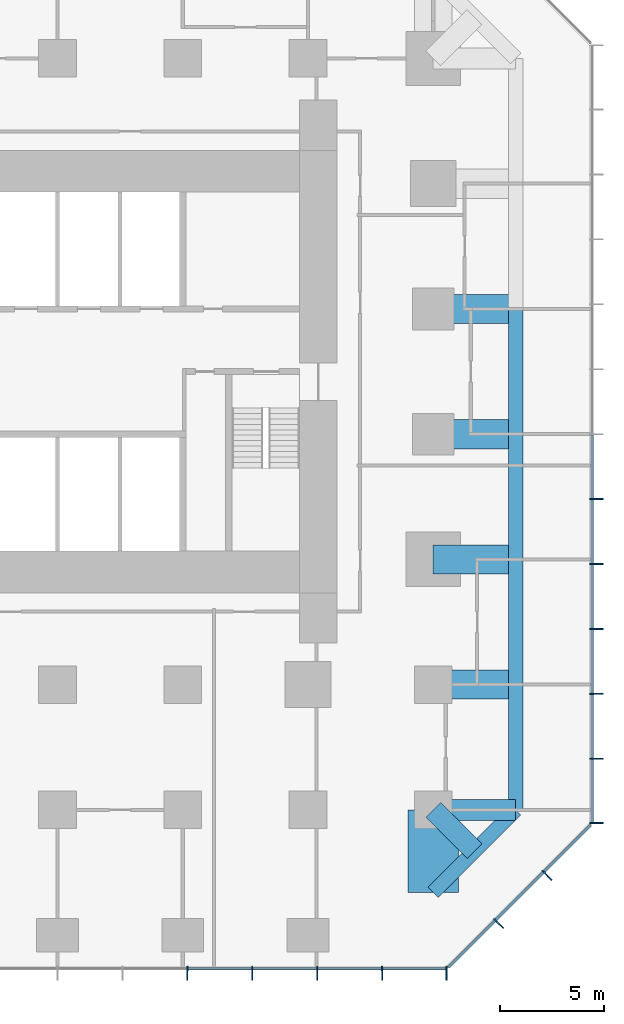
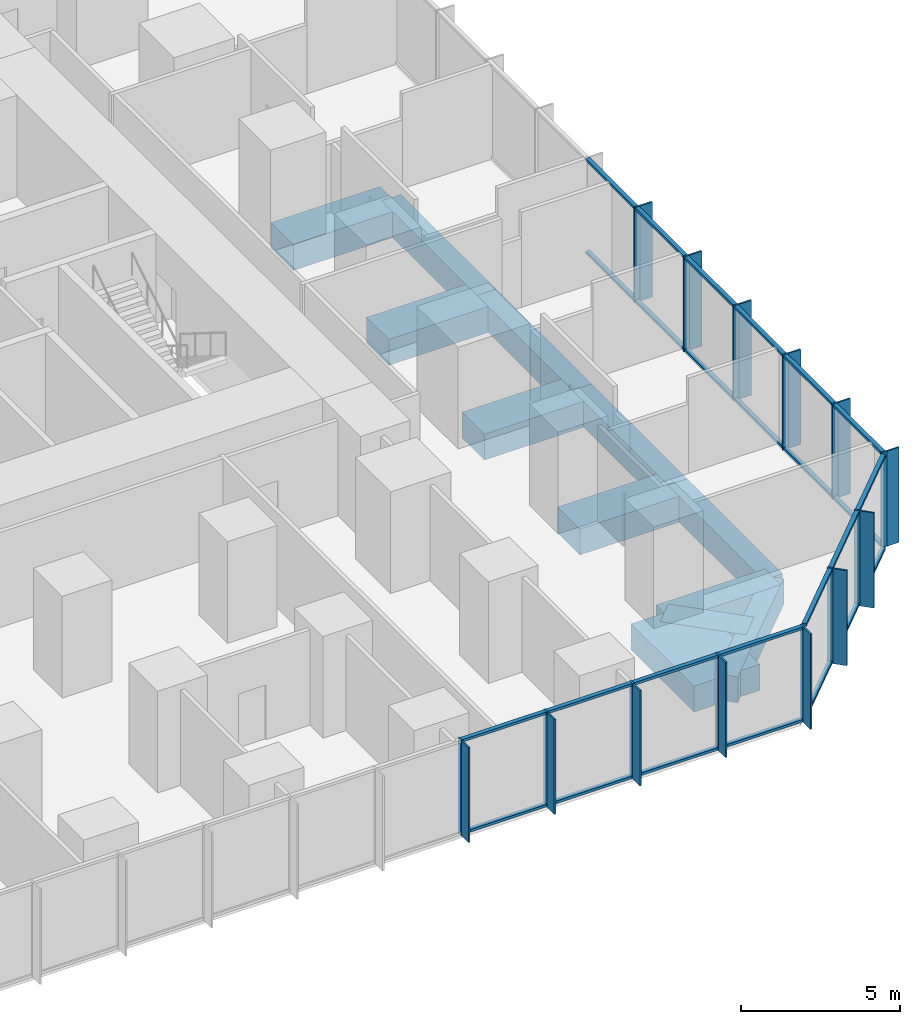
# One storey, part 4 of 13: 52 members, 12 beams, 3 elements without a shape of their own.
"""IFC4 building model written with IfcOpenShell, lengths in metres."""

import ifcopenshell
import ifcopenshell.guid

model = None  # the IFC model being written
_history = None  # IfcOwnerHistory: only IFC2X3 demands one
_inside = {}  # id of a spatial element -> (the spatial element, [elements in it])
_under = {}  # id of a project, library or spatial element -> (it, [spatial elements below it])
_declared = {}  # id of a project -> (the project, [libraries it declares])
_typed = {}  # id of a type object -> (the type object, [elements of that type])
_made_of = {}  # id of a material, layer set ... -> (it, [elements and type objects made of it])


def new_model(schema):
    """Start an empty IFC model of exactly this schema.

    Asked for "IFC4X3", IfcOpenShell would pick the latest addendum, in which some entities
    have other attributes; the version numbers below select the first issue.
    IFC2X3 requires an IfcOwnerHistory on every rooted entity: one is made here for all.
    """
    global model, _history
    if schema == "IFC4X3":
        model = ifcopenshell.file(schema_version=(4, 3, 0, 0))
    else:
        model = ifcopenshell.file(schema=schema)
    _inside.clear()
    _under.clear()
    _declared.clear()
    _typed.clear()
    _made_of.clear()
    _history = None
    if model.schema == "IFC2X3":
        org = make("IfcOrganization", Name="unknown")
        user = make(
            "IfcPersonAndOrganization",
            ThePerson=make("IfcPerson", FamilyName="unknown"),
            TheOrganization=org,
        )
        app = make(
            "IfcApplication",
            ApplicationDeveloper=org,
            Version="unknown",
            ApplicationFullName="unknown",
            ApplicationIdentifier="unknown",
        )
        _history = make(
            "IfcOwnerHistory",
            OwningUser=user,
            OwningApplication=app,
            ChangeAction="ADDED",
            CreationDate=0,
        )
    return model


def make(cls, **values):
    """One entity of the class cls with the attributes given. An attribute that is None is left unset."""
    return model.create_entity(
        cls, **{name: value for name, value in values.items() if value is not None}
    )


def rooted(cls, **values):
    """An entity with a GlobalId (a new one), such as an element, a storey or a relation."""
    return make(cls, GlobalId=ifcopenshell.guid.new(), OwnerHistory=_history, **values)


def si_unit(unit_type, name, prefix=None):
    """IfcSIUnit, for example si_unit("LENGTHUNIT", "METRE", prefix="MILLI")."""
    return make("IfcSIUnit", UnitType=unit_type, Prefix=prefix, Name=name)


def assignment(units):
    """IfcUnitAssignment: the units of a project."""
    return None if units is None else make("IfcUnitAssignment", Units=units)


def point(xyz):
    """IfcCartesianPoint."""
    return None if xyz is None else make("IfcCartesianPoint", Coordinates=xyz)


def direction(xyz):
    """IfcDirection."""
    return None if xyz is None else make("IfcDirection", DirectionRatios=xyz)


def frame(location, z_axis=None, x_axis=None):
    """IfcAxis2Placement3D, a coordinate frame: its origin and axes. An axis left out is left unset."""
    return make(
        "IfcAxis2Placement3D",
        Location=point(location),
        Axis=direction(z_axis),
        RefDirection=direction(x_axis),
    )


def frame_2d(location, x_axis=None):
    """IfcAxis2Placement2D, a coordinate frame in the plane: its origin and x axis."""
    return make(
        "IfcAxis2Placement2D", Location=point(location), RefDirection=direction(x_axis)
    )


def origin():
    """The frame at (0, 0, 0) with its axes left unset."""
    return frame((0.0, 0.0, 0.0))


def origin_2d():
    """The frame at (0, 0) in the plane with its x axis left unset."""
    return frame_2d((0.0, 0.0))


def place(relative_to, where):
    """IfcLocalPlacement: puts the frame where relative to a parent placement (None: the world)."""
    return make(
        "IfcLocalPlacement", PlacementRelTo=relative_to, RelativePlacement=where
    )


def context(
    kind, dimensions, precision=None, world=None, true_north=None, identifier=None
):
    """IfcGeometricRepresentationContext, for example the 3D "Model" context."""
    return make(
        "IfcGeometricRepresentationContext",
        ContextIdentifier=identifier,
        ContextType=kind,
        CoordinateSpaceDimension=dimensions,
        Precision=precision,
        WorldCoordinateSystem=world,
        TrueNorth=true_north,
    )


def subcontext(parent, identifier, kind, view, scale=None):
    """IfcGeometricRepresentationSubContext, for example "Body" below "Model"."""
    return make(
        "IfcGeometricRepresentationSubContext",
        ContextIdentifier=identifier,
        ContextType=kind,
        ParentContext=parent,
        TargetScale=scale,
        TargetView=view,
    )


def project(units=None, contexts=None):
    """IfcProject with its units and contexts."""
    return rooted(
        "IfcProject",
        Name="project",
        RepresentationContexts=contexts,
        UnitsInContext=assignment(units),
    )


def spatial(cls, under=None, at=None, **own):
    """A site, building, storey or space (cls), placed at a placement, below another one or the project."""
    s = rooted(cls, ObjectPlacement=at, **own)
    if under is not None:
        _under.setdefault(under.id(), (under, []))[1].append(s)
    return s


def profile(cls, at=None, kind="AREA", **sizes):
    """A parametric profile (cls). Its sizes go by their IFC names, for example OverallWidth=200.0."""
    return make(cls, ProfileType=kind, Position=at, **sizes)


def rectangle(**sizes):
    """IfcRectangleProfileDef."""
    return profile("IfcRectangleProfileDef", **sizes)


def extrude(swept, where, along, depth):
    """IfcExtrudedAreaSolid: the profile swept, set in the frame where, extruded along a direction by depth."""
    return make(
        "IfcExtrudedAreaSolid",
        SweptArea=swept,
        Position=where,
        ExtrudedDirection=direction(along),
        Depth=depth,
    )


def shape(context_of_items, identifier, shape_type, items):
    """IfcShapeRepresentation: the items that make up one representation, for example the "Body"."""
    return make(
        "IfcShapeRepresentation",
        ContextOfItems=context_of_items,
        RepresentationIdentifier=identifier,
        RepresentationType=shape_type,
        Items=items,
    )


def material(Name=None, Category=None):
    """IfcMaterial."""
    return make("IfcMaterial", Name=Name, Category=Category)


def layer(
    of_material, thickness, ventilated=None, Name=None, Category=None, Priority=None
):
    """IfcMaterialLayer: one layer of a wall or slab, of a material (None: an air gap)."""
    return make(
        "IfcMaterialLayer",
        Material=of_material,
        LayerThickness=thickness,
        IsVentilated=ventilated,
        Name=Name,
        Category=Category,
        Priority=Priority,
    )


def layer_set(layers, Name=None):
    """IfcMaterialLayerSet."""
    return make("IfcMaterialLayerSet", MaterialLayers=layers, LayerSetName=Name)


def material_profile(
    of_material, cross_section, Name=None, Category=None, Priority=None
):
    """IfcMaterialProfile: a cross section and its material."""
    return make(
        "IfcMaterialProfile",
        Name=Name,
        Material=of_material,
        Profile=cross_section,
        Priority=Priority,
        Category=Category,
    )


def profile_set(profiles, Name=None, composite=None):
    """IfcMaterialProfileSet."""
    return make(
        "IfcMaterialProfileSet",
        Name=Name,
        MaterialProfiles=profiles,
        CompositeProfile=composite,
    )


def made_of(thing, what):
    """Note that an element or type object is made of a material, layer set ...; save() writes the relation."""
    if what is not None:
        _made_of.setdefault(what.id(), (what, []))[1].append(thing)
    return thing


def type_object(cls, material=None, **own):
    """A type object (cls), such as IfcWallType, which elements share."""
    return made_of(rooted(cls, **own), material)


def element(
    cls,
    number,
    at=None,
    inside=None,
    cuts=None,
    type_object=None,
    material=None,
    context=None,
    identifier="Body",
    shape_type=None,
    held_by="IfcProductDefinitionShape",
    body=None,
    shapes=None,
    **own,
):
    """One element of the class cls, such as IfcWall. Its Tag is "e" and its number.

    at: its placement. inside: the storey or other place that contains it. cuts: it is an
    opening in that element (IfcRelVoidsElement). A single representation is given by context,
    identifier, shape_type and body (its items); several are given by shapes. held_by: the class
    of the entity that holds the representations. save() writes the other relations.
    """
    e = rooted(cls, Tag="e%d" % number, ObjectPlacement=at, **own)
    if body is not None:
        shapes = [shape(context, identifier, shape_type, body)]
    if shapes is not None:
        e.Representation = make(held_by, Representations=shapes)
    if inside is not None:
        _inside.setdefault(inside.id(), (inside, []))[1].append(e)
    if cuts is not None:
        rooted(
            "IfcRelVoidsElement", RelatingBuildingElement=cuts, RelatedOpeningElement=e
        )
    if type_object is not None:
        _typed.setdefault(type_object.id(), (type_object, []))[1].append(e)
    return made_of(e, material)


def aggregate(whole, parts):
    """IfcRelAggregates: a whole, such as a stair, and the parts it consists of."""
    return rooted("IfcRelAggregates", RelatingObject=whole, RelatedObjects=parts)


def save(model, path):
    """Write the relations noted so far, then the file.

    IfcRelAggregates (storeys below a building ...), IfcRelContainedInSpatialStructure (elements
    in a storey), IfcRelDefinesByType, IfcRelAssociatesMaterial and IfcRelDeclares: one each for
    every whole, place, type object, material and project.
    """
    for whole, parts in _under.values():
        aggregate(whole, parts)
    for where, things in _inside.values():
        rooted(
            "IfcRelContainedInSpatialStructure",
            RelatedElements=things,
            RelatingStructure=where,
        )
    for kind, things in _typed.values():
        rooted("IfcRelDefinesByType", RelatedObjects=things, RelatingType=kind)
    for what, things in _made_of.values():
        rooted("IfcRelAssociatesMaterial", RelatedObjects=things, RelatingMaterial=what)
    for by, libraries in _declared.values():
        rooted("IfcRelDeclares", RelatingContext=by, RelatedDefinitions=libraries)
    model.write(path)


model = new_model("IFC4")

# Units and contexts
model_context = context("Model", 3, precision=1e-05, world=origin(), true_north=direction((0.0, 1.0)))
body_context = subcontext(model_context, "Body", "Model", "MODEL_VIEW")
ifc_project = project(units=[si_unit("LENGTHUNIT", "METRE"), si_unit("AREAUNIT", "SQUARE_METRE"), si_unit("VOLUMEUNIT", "CUBIC_METRE"), si_unit("PLANEANGLEUNIT", "RADIAN"), si_unit("MASSUNIT", "GRAM", prefix="KILO")], contexts=[model_context])

# Site, building, storey
site_placement = place(None, origin())
site = spatial("IfcSite", under=ifc_project, at=site_placement, CompositionType="ELEMENT")
building_placement = place(site_placement, origin())
building = spatial("IfcBuilding", under=site, at=building_placement, Name="Highveld Stack Headquarters", CompositionType="ELEMENT")
storey_placement = place(building_placement, frame((0.0, 0.0, 61.10009765625)))
storey = spatial("IfcBuildingStorey", under=building, at=storey_placement, Name="L14", CompositionType="ELEMENT", Elevation=61.10009765625)

# Beams
ifc_material_1 = material(Name="Concrete C60/75", Category="concrete")
ifc_material_profile_1 = material_profile(ifc_material_1, rectangle(XDim=1.0, YDim=1.0, at=origin_2d()), Name="RC 1000x1000")
ifc_profile_set_1 = profile_set([ifc_material_profile_1], Name="Concrete C60/75")
beam_type_1 = type_object("IfcBeamType", Name="CANTILEVER RIB RC 1000x1000", PredefinedType="USERDEFINED", material=ifc_profile_set_1)
beam_1_placement = place(storey_placement, frame((24.0, -18.0, -0.75), z_axis=(1.0, 0.0, 0.0), x_axis=(0.0, 1.0, 0.0)))
element("IfcBeam", 1, at=beam_1_placement, inside=storey, type_object=beam_type_1, Name="Cantilever rib 10/B L14", ObjectType="CANTILEVER RIB", PredefinedType="USERDEFINED", context=body_context, shape_type="SweptSolid", body=[
    extrude(rectangle(XDim=1.0, YDim=1.0, at=origin_2d()), origin(), (0.0, 0.0, 1.0), 3.949951171875),
])
beam_2_placement = place(storey_placement, frame((24.0, -18.0, -0.75), z_axis=(0.707106781187, -0.707106781187, 0.0), x_axis=(0.707106781187, 0.707106781187, 0.0)))
element("IfcBeam", 2, at=beam_2_placement, inside=storey, type_object=beam_type_1, Name="Cantilever rib 10/B L14", ObjectType="CANTILEVER RIB", PredefinedType="USERDEFINED", context=body_context, shape_type="SweptSolid", body=[
    extrude(rectangle(XDim=1.0, YDim=1.0, at=origin_2d()), origin(), (0.0, 0.0, 1.0), 2.793212890625),
])
ifc_material_2 = material(Name="Concrete C60/75", Category="concrete")
ifc_material_profile_2 = material_profile(ifc_material_2, rectangle(XDim=1.39990234375, YDim=1.0, at=origin_2d()), Name="RC 1400x1000")
ifc_profile_set_2 = profile_set([ifc_material_profile_2], Name="Concrete C60/75")
beam_type_2 = type_object("IfcBeamType", Name="CANTILEVER RIB RC 1400x1000", PredefinedType="USERDEFINED", material=ifc_profile_set_2)
for number, where, z_axis, x_axis, name in (
    (3, (24.0, -12.0, -0.75), (1.0, 0.0, 0.0), (0.0, 1.0, 0.0), "Cantilever rib 10/C L14"),
    (4, (24.0, -6.0, -0.75), (1.0, 0.0, 0.0), (0.0, 1.0, 0.0), "Cantilever rib 10/D L14"),
    (5, (24.0, 0.0, -0.75), (1.0, 0.0, 0.0), (0.0, 1.0, 0.0), "Cantilever rib 10/E L14"),
    (6, (24.0, 6.0, -0.75), (1.0, 0.0, 0.0), (0.0, 1.0, 0.0), "Cantilever rib 10/F L14"),
):
    element("IfcBeam", number, at=place(storey_placement, frame(where, z_axis=z_axis, x_axis=x_axis)), inside=storey, type_object=beam_type_2, Name=name, ObjectType="CANTILEVER RIB", PredefinedType="USERDEFINED", context=body_context, shape_type="SweptSolid", body=[
        extrude(rectangle(XDim=1.39990234375, YDim=1.0, at=origin_2d()), origin(), (0.0, 0.0, 1.0), 3.949951171875),
    ])
ifc_material_3 = material(Name="Concrete C60/75", Category="concrete")
ifc_material_profile_3 = material_profile(ifc_material_3, rectangle(XDim=2.39990234375, YDim=1.0, at=origin_2d()), Name="RC 2400x1000")
ifc_profile_set_3 = profile_set([ifc_material_profile_3], Name="Concrete C60/75")
beam_type_3 = type_object("IfcBeamType", Name="CANTILEVER RIB RC 2400x1000", PredefinedType="USERDEFINED", material=ifc_profile_set_3)
beam_3_placement = place(storey_placement, frame((24.0, -18.0, -0.75), z_axis=(0.0, -1.0, 0.0), x_axis=(1.0, 0.0, 0.0)))
element("IfcBeam", 7, at=beam_3_placement, inside=storey, type_object=beam_type_3, Name="Cantilever rib 10/B L14", ObjectType="CANTILEVER RIB", PredefinedType="USERDEFINED", context=body_context, shape_type="SweptSolid", body=[
    extrude(rectangle(XDim=2.39990234375, YDim=1.0, at=origin_2d()), origin(), (0.0, 0.0, 1.0), 3.949951171875),
])

# Curtain wall, members
ifc_material_4 = material(Name="Aluminium bronze anodised", Category="aluminium")
ifc_layer_1 = layer(ifc_material_4, 0.199951171875)
ifc_layer_set_1 = layer_set([ifc_layer_1], Name="Aluminium bronze anodised")
curtain_wall_type_1 = type_object("IfcCurtainWallType", Name="CW1 TOWER UNITISED CURTAIN WALL", PredefinedType="NOTDEFINED", material=ifc_layer_set_1)
curtain_wall_1_placement = place(storey_placement, origin())
curtain_wall_1 = element("IfcCurtainWall", 8, at=curtain_wall_1_placement, inside=storey, type_object=curtain_wall_type_1, Name="Curtain wall CW1 L14 S", PredefinedType="NOTDEFINED")
ifc_material_5 = material(Name="Aluminium bronze anodised", Category="aluminium")
ifc_material_profile_4 = material_profile(ifc_material_5, rectangle(XDim=0.449951171875, YDim=0.06005859375, at=origin_2d()), Name="FIN 450x60")
ifc_profile_set_4 = profile_set([ifc_material_profile_4], Name="Aluminium bronze anodised")
member_type_1 = type_object("IfcMemberType", Name="CW1 BRONZE FIN 450x60", PredefinedType="USERDEFINED", material=ifc_profile_set_4)
member_1_placement = place(storey_placement, frame((12.220947265625, -25.925048828125, 0.0), z_axis=(0.0, 0.0, 1.0), x_axis=(0.0, 1.0, 0.0)))
member_1 = element("IfcMember", 9, at=member_1_placement, type_object=member_type_1, Name="CW1 fin L14 9", ObjectType="FIN", PredefinedType="USERDEFINED", context=body_context, shape_type="SweptSolid", body=[
    extrude(rectangle(XDim=0.449951171875, YDim=0.06005859375, at=origin_2d()), origin(), (0.0, 0.0, 1.0), 3.64990234375),
])
member_2_placement = place(storey_placement, frame((15.331298828125, -25.925048828125, 0.0), z_axis=(0.0, 0.0, 1.0), x_axis=(0.0, 1.0, 0.0)))
member_2 = element("IfcMember", 10, at=member_2_placement, type_object=member_type_1, Name="CW1 fin L14 10", ObjectType="FIN", PredefinedType="USERDEFINED", context=body_context, shape_type="SweptSolid", body=[
    extrude(rectangle(XDim=0.449951171875, YDim=0.06005859375, at=origin_2d()), origin(), (0.0, 0.0, 1.0), 3.64990234375),
])
member_3_placement = place(storey_placement, frame((18.44189453125, -25.925048828125, 0.0), z_axis=(0.0, 0.0, 1.0), x_axis=(0.0, 1.0, 0.0)))
member_3 = element("IfcMember", 11, at=member_3_placement, type_object=member_type_1, Name="CW1 fin L14 11", ObjectType="FIN", PredefinedType="USERDEFINED", context=body_context, shape_type="SweptSolid", body=[
    extrude(rectangle(XDim=0.449951171875, YDim=0.06005859375, at=origin_2d()), origin(), (0.0, 0.0, 1.0), 3.64990234375),
])
member_4_placement = place(storey_placement, frame((21.55224609375, -25.925048828125, 0.0), z_axis=(0.0, 0.0, 1.0), x_axis=(0.0, 1.0, 0.0)))
member_4 = element("IfcMember", 12, at=member_4_placement, type_object=member_type_1, Name="CW1 fin L14 12", ObjectType="FIN", PredefinedType="USERDEFINED", context=body_context, shape_type="SweptSolid", body=[
    extrude(rectangle(XDim=0.449951171875, YDim=0.06005859375, at=origin_2d()), origin(), (0.0, 0.0, 1.0), 3.64990234375),
])
member_5_placement = place(storey_placement, frame((24.630126953125, -25.925048828125, 0.0), z_axis=(0.0, 0.0, 1.0), x_axis=(0.0, 1.0, 0.0)))
member_5 = element("IfcMember", 13, at=member_5_placement, type_object=member_type_1, Name="CW1 fin L14 13", ObjectType="FIN", PredefinedType="USERDEFINED", context=body_context, shape_type="SweptSolid", body=[
    extrude(rectangle(XDim=0.449951171875, YDim=0.06005859375, at=origin_2d()), origin(), (0.0, 0.0, 1.0), 3.64990234375),
])

curtain_wall_2_placement = place(storey_placement, origin())
curtain_wall_2 = element("IfcCurtainWall", 14, at=curtain_wall_2_placement, inside=storey, type_object=curtain_wall_type_1, Name="Curtain wall CW1 L14 E", PredefinedType="NOTDEFINED")
member_6_placement = place(storey_placement, frame((31.925048828125, -18.630126953125, 0.0), z_axis=(0.0, 0.0, 1.0), x_axis=(-1.0, 0.0, 0.0)))
member_6 = element("IfcMember", 15, at=member_6_placement, type_object=member_type_1, Name="CW1 fin L14 1", ObjectType="FIN", PredefinedType="USERDEFINED", context=body_context, shape_type="SweptSolid", body=[
    extrude(rectangle(XDim=0.449951171875, YDim=0.06005859375, at=origin_2d()), origin(), (0.0, 0.0, 1.0), 3.64990234375),
])
member_7_placement = place(storey_placement, frame((31.925048828125, -15.55224609375, 0.0), z_axis=(0.0, 0.0, 1.0), x_axis=(-1.0, 0.0, 0.0)))
member_7 = element("IfcMember", 16, at=member_7_placement, type_object=member_type_1, Name="CW1 fin L14 2", ObjectType="FIN", PredefinedType="USERDEFINED", context=body_context, shape_type="SweptSolid", body=[
    extrude(rectangle(XDim=0.449951171875, YDim=0.06005859375, at=origin_2d()), origin(), (0.0, 0.0, 1.0), 3.64990234375),
])
member_8_placement = place(storey_placement, frame((31.925048828125, -12.44189453125, 0.0), z_axis=(0.0, 0.0, 1.0), x_axis=(-1.0, 0.0, 0.0)))
member_8 = element("IfcMember", 17, at=member_8_placement, type_object=member_type_1, Name="CW1 fin L14 3", ObjectType="FIN", PredefinedType="USERDEFINED", context=body_context, shape_type="SweptSolid", body=[
    extrude(rectangle(XDim=0.449951171875, YDim=0.06005859375, at=origin_2d()), origin(), (0.0, 0.0, 1.0), 3.64990234375),
])
member_9_placement = place(storey_placement, frame((31.925048828125, -9.331298828125, 0.0), z_axis=(0.0, 0.0, 1.0), x_axis=(-1.0, 0.0, 0.0)))
member_9 = element("IfcMember", 18, at=member_9_placement, type_object=member_type_1, Name="CW1 fin L14 4", ObjectType="FIN", PredefinedType="USERDEFINED", context=body_context, shape_type="SweptSolid", body=[
    extrude(rectangle(XDim=0.449951171875, YDim=0.06005859375, at=origin_2d()), origin(), (0.0, 0.0, 1.0), 3.64990234375),
])
member_10_placement = place(storey_placement, frame((31.925048828125, -6.220947265625, 0.0), z_axis=(0.0, 0.0, 1.0), x_axis=(-1.0, 0.0, 0.0)))
member_10 = element("IfcMember", 19, at=member_10_placement, type_object=member_type_1, Name="CW1 fin L14 5", ObjectType="FIN", PredefinedType="USERDEFINED", context=body_context, shape_type="SweptSolid", body=[
    extrude(rectangle(XDim=0.449951171875, YDim=0.06005859375, at=origin_2d()), origin(), (0.0, 0.0, 1.0), 3.64990234375),
])
member_11_placement = place(storey_placement, frame((31.925048828125, -3.110595703125, 0.0), z_axis=(0.0, 0.0, 1.0), x_axis=(-1.0, 0.0, 0.0)))
member_11 = element("IfcMember", 20, at=member_11_placement, type_object=member_type_1, Name="CW1 fin L14 6", ObjectType="FIN", PredefinedType="USERDEFINED", context=body_context, shape_type="SweptSolid", body=[
    extrude(rectangle(XDim=0.449951171875, YDim=0.06005859375, at=origin_2d()), origin(), (0.0, 0.0, 1.0), 3.64990234375),
])

# Member
ifc_material_6 = material(Name="Aluminium bronze anodised", Category="aluminium")
ifc_material_profile_5 = material_profile(ifc_material_6, rectangle(XDim=0.199951171875, YDim=0.06494140625, at=origin_2d()), Name="CW1 MULLION 65x200")
ifc_profile_set_5 = profile_set([ifc_material_profile_5], Name="Aluminium bronze anodised")
member_type_2 = type_object("IfcMemberType", Name="CW1 MULLION 65x200", PredefinedType="MULLION", material=ifc_profile_set_5)
member_12_placement = place(storey_placement, frame((12.220947265625, -25.60009765625, 0.0), z_axis=(0.0, 0.0, 1.0), x_axis=(0.0, 1.0, 0.0)))
member_12 = element("IfcMember", 21, at=member_12_placement, type_object=member_type_2, Name="CW1 mullion L14 9", PredefinedType="MULLION", context=body_context, shape_type="SweptSolid", body=[
    extrude(rectangle(XDim=0.199951171875, YDim=0.06494140625, at=origin_2d()), origin(), (0.0, 0.0, 1.0), 3.64990234375),
])

member_13_placement = place(storey_placement, frame((15.331298828125, -25.60009765625, 0.0), z_axis=(0.0, 0.0, 1.0), x_axis=(0.0, 1.0, 0.0)))
member_13 = element("IfcMember", 22, at=member_13_placement, type_object=member_type_2, Name="CW1 mullion L14 10", PredefinedType="MULLION", context=body_context, shape_type="SweptSolid", body=[
    extrude(rectangle(XDim=0.199951171875, YDim=0.06494140625, at=origin_2d()), origin(), (0.0, 0.0, 1.0), 3.64990234375),
])

member_14_placement = place(storey_placement, frame((18.44189453125, -25.60009765625, 0.0), z_axis=(0.0, 0.0, 1.0), x_axis=(0.0, 1.0, 0.0)))
member_14 = element("IfcMember", 23, at=member_14_placement, type_object=member_type_2, Name="CW1 mullion L14 11", PredefinedType="MULLION", context=body_context, shape_type="SweptSolid", body=[
    extrude(rectangle(XDim=0.199951171875, YDim=0.06494140625, at=origin_2d()), origin(), (0.0, 0.0, 1.0), 3.64990234375),
])

member_15_placement = place(storey_placement, frame((21.55224609375, -25.60009765625, 0.0), z_axis=(0.0, 0.0, 1.0), x_axis=(0.0, 1.0, 0.0)))
member_15 = element("IfcMember", 24, at=member_15_placement, type_object=member_type_2, Name="CW1 mullion L14 12", PredefinedType="MULLION", context=body_context, shape_type="SweptSolid", body=[
    extrude(rectangle(XDim=0.199951171875, YDim=0.06494140625, at=origin_2d()), origin(), (0.0, 0.0, 1.0), 3.64990234375),
])

member_16_placement = place(storey_placement, frame((24.630126953125, -25.60009765625, 0.0), z_axis=(0.0, 0.0, 1.0), x_axis=(0.0, 1.0, 0.0)))
member_16 = element("IfcMember", 25, at=member_16_placement, type_object=member_type_2, Name="CW1 mullion L14 13", PredefinedType="MULLION", context=body_context, shape_type="SweptSolid", body=[
    extrude(rectangle(XDim=0.199951171875, YDim=0.06494140625, at=origin_2d()), origin(), (0.0, 0.0, 1.0), 3.64990234375),
])

member_17_placement = place(storey_placement, frame((31.60009765625, -18.630126953125, 0.0), z_axis=(0.0, 0.0, 1.0), x_axis=(-1.0, 0.0, 0.0)))
member_17 = element("IfcMember", 26, at=member_17_placement, type_object=member_type_2, Name="CW1 mullion L14 1", PredefinedType="MULLION", context=body_context, shape_type="SweptSolid", body=[
    extrude(rectangle(XDim=0.199951171875, YDim=0.06494140625, at=origin_2d()), origin(), (0.0, 0.0, 1.0), 3.64990234375),
])

member_18_placement = place(storey_placement, frame((31.60009765625, -15.55224609375, 0.0), z_axis=(0.0, 0.0, 1.0), x_axis=(-1.0, 0.0, 0.0)))
member_18 = element("IfcMember", 27, at=member_18_placement, type_object=member_type_2, Name="CW1 mullion L14 2", PredefinedType="MULLION", context=body_context, shape_type="SweptSolid", body=[
    extrude(rectangle(XDim=0.199951171875, YDim=0.06494140625, at=origin_2d()), origin(), (0.0, 0.0, 1.0), 3.64990234375),
])

member_19_placement = place(storey_placement, frame((31.60009765625, -12.44189453125, 0.0), z_axis=(0.0, 0.0, 1.0), x_axis=(-1.0, 0.0, 0.0)))
member_19 = element("IfcMember", 28, at=member_19_placement, type_object=member_type_2, Name="CW1 mullion L14 3", PredefinedType="MULLION", context=body_context, shape_type="SweptSolid", body=[
    extrude(rectangle(XDim=0.199951171875, YDim=0.06494140625, at=origin_2d()), origin(), (0.0, 0.0, 1.0), 3.64990234375),
])

member_20_placement = place(storey_placement, frame((31.60009765625, -9.331298828125, 0.0), z_axis=(0.0, 0.0, 1.0), x_axis=(-1.0, 0.0, 0.0)))
member_20 = element("IfcMember", 29, at=member_20_placement, type_object=member_type_2, Name="CW1 mullion L14 4", PredefinedType="MULLION", context=body_context, shape_type="SweptSolid", body=[
    extrude(rectangle(XDim=0.199951171875, YDim=0.06494140625, at=origin_2d()), origin(), (0.0, 0.0, 1.0), 3.64990234375),
])

member_21_placement = place(storey_placement, frame((31.60009765625, -6.220947265625, 0.0), z_axis=(0.0, 0.0, 1.0), x_axis=(-1.0, 0.0, 0.0)))
member_21 = element("IfcMember", 30, at=member_21_placement, type_object=member_type_2, Name="CW1 mullion L14 5", PredefinedType="MULLION", context=body_context, shape_type="SweptSolid", body=[
    extrude(rectangle(XDim=0.199951171875, YDim=0.06494140625, at=origin_2d()), origin(), (0.0, 0.0, 1.0), 3.64990234375),
])

member_22_placement = place(storey_placement, frame((31.60009765625, -3.110595703125, 0.0), z_axis=(0.0, 0.0, 1.0), x_axis=(-1.0, 0.0, 0.0)))
member_22 = element("IfcMember", 31, at=member_22_placement, type_object=member_type_2, Name="CW1 mullion L14 6", PredefinedType="MULLION", context=body_context, shape_type="SweptSolid", body=[
    extrude(rectangle(XDim=0.199951171875, YDim=0.06494140625, at=origin_2d()), origin(), (0.0, 0.0, 1.0), 3.64990234375),
])

ifc_material_7 = material(Name="Aluminium bronze anodised", Category="aluminium")
ifc_material_profile_6 = material_profile(ifc_material_7, rectangle(XDim=0.14990234375, YDim=0.10009765625, at=origin_2d()), Name="CW1 TRANSOM 150x100")
ifc_profile_set_6 = profile_set([ifc_material_profile_6], Name="Aluminium bronze anodised")
member_type_3 = type_object("IfcMemberType", Name="CW1 STACK TRANSOM 150x100", PredefinedType="USERDEFINED", material=ifc_profile_set_6)
member_23_placement = place(storey_placement, frame((12.25341796875, -25.60009765625, 0.0498046875), z_axis=(1.0, 0.0, 0.0), x_axis=(0.0, 1.0, 0.0)))
member_23 = element("IfcMember", 32, at=member_23_placement, type_object=member_type_3, Name="CW1 transom L14 9.1", ObjectType="TRANSOM", PredefinedType="USERDEFINED", context=body_context, shape_type="SweptSolid", body=[
    extrude(rectangle(XDim=0.14990234375, YDim=0.10009765625, at=origin_2d()), origin(), (0.0, 0.0, 1.0), 3.04541015625),
])

member_24_placement = place(storey_placement, frame((12.25341796875, -25.60009765625, 3.599853515625), z_axis=(1.0, 0.0, 0.0), x_axis=(0.0, 1.0, 0.0)))
member_24 = element("IfcMember", 33, at=member_24_placement, type_object=member_type_3, Name="CW1 transom L14 9.2", ObjectType="TRANSOM", PredefinedType="USERDEFINED", context=body_context, shape_type="SweptSolid", body=[
    extrude(rectangle(XDim=0.14990234375, YDim=0.10009765625, at=origin_2d()), origin(), (0.0, 0.0, 1.0), 3.04541015625),
])

member_25_placement = place(storey_placement, frame((15.364013671875, -25.60009765625, 0.0498046875), z_axis=(1.0, 0.0, 0.0), x_axis=(0.0, 1.0, 0.0)))
member_25 = element("IfcMember", 34, at=member_25_placement, type_object=member_type_3, Name="CW1 transom L14 10.1", ObjectType="TRANSOM", PredefinedType="USERDEFINED", context=body_context, shape_type="SweptSolid", body=[
    extrude(rectangle(XDim=0.14990234375, YDim=0.10009765625, at=origin_2d()), origin(), (0.0, 0.0, 1.0), 3.045166015625),
])

member_26_placement = place(storey_placement, frame((15.364013671875, -25.60009765625, 3.599853515625), z_axis=(1.0, 0.0, 0.0), x_axis=(0.0, 1.0, 0.0)))
member_26 = element("IfcMember", 35, at=member_26_placement, type_object=member_type_3, Name="CW1 transom L14 10.2", ObjectType="TRANSOM", PredefinedType="USERDEFINED", context=body_context, shape_type="SweptSolid", body=[
    extrude(rectangle(XDim=0.14990234375, YDim=0.10009765625, at=origin_2d()), origin(), (0.0, 0.0, 1.0), 3.045166015625),
])

member_27_placement = place(storey_placement, frame((18.474365234375, -25.60009765625, 0.0498046875), z_axis=(1.0, 0.0, 0.0), x_axis=(0.0, 1.0, 0.0)))
member_27 = element("IfcMember", 36, at=member_27_placement, type_object=member_type_3, Name="CW1 transom L14 11.1", ObjectType="TRANSOM", PredefinedType="USERDEFINED", context=body_context, shape_type="SweptSolid", body=[
    extrude(rectangle(XDim=0.14990234375, YDim=0.10009765625, at=origin_2d()), origin(), (0.0, 0.0, 1.0), 3.04541015625),
])

member_28_placement = place(storey_placement, frame((18.474365234375, -25.60009765625, 3.599853515625), z_axis=(1.0, 0.0, 0.0), x_axis=(0.0, 1.0, 0.0)))
member_28 = element("IfcMember", 37, at=member_28_placement, type_object=member_type_3, Name="CW1 transom L14 11.2", ObjectType="TRANSOM", PredefinedType="USERDEFINED", context=body_context, shape_type="SweptSolid", body=[
    extrude(rectangle(XDim=0.14990234375, YDim=0.10009765625, at=origin_2d()), origin(), (0.0, 0.0, 1.0), 3.04541015625),
])

member_29_placement = place(storey_placement, frame((21.584716796875, -25.60009765625, 0.0498046875), z_axis=(1.0, 0.0, 0.0), x_axis=(0.0, 1.0, 0.0)))
member_29 = element("IfcMember", 38, at=member_29_placement, type_object=member_type_3, Name="CW1 transom L14 12.1", ObjectType="TRANSOM", PredefinedType="USERDEFINED", context=body_context, shape_type="SweptSolid", body=[
    extrude(rectangle(XDim=0.14990234375, YDim=0.10009765625, at=origin_2d()), origin(), (0.0, 0.0, 1.0), 3.012939453125),
])

member_30_placement = place(storey_placement, frame((21.584716796875, -25.60009765625, 3.599853515625), z_axis=(1.0, 0.0, 0.0), x_axis=(0.0, 1.0, 0.0)))
member_30 = element("IfcMember", 39, at=member_30_placement, type_object=member_type_3, Name="CW1 transom L14 12.2", ObjectType="TRANSOM", PredefinedType="USERDEFINED", context=body_context, shape_type="SweptSolid", body=[
    extrude(rectangle(XDim=0.14990234375, YDim=0.10009765625, at=origin_2d()), origin(), (0.0, 0.0, 1.0), 3.012939453125),
])

aggregate(curtain_wall_1, [member_12, member_1, member_13, member_2, member_14, member_3, member_15, member_4, member_16, member_5, member_23, member_24, member_25, member_26, member_27, member_28, member_29, member_30])

member_31_placement = place(storey_placement, frame((31.60009765625, -18.59765625, 0.0498046875), z_axis=(0.0, 1.0, 0.0), x_axis=(-1.0, 0.0, 0.0)))
member_31 = element("IfcMember", 40, at=member_31_placement, type_object=member_type_3, Name="CW1 transom L14 1.1", ObjectType="TRANSOM", PredefinedType="USERDEFINED", context=body_context, shape_type="SweptSolid", body=[
    extrude(rectangle(XDim=0.14990234375, YDim=0.10009765625, at=origin_2d()), origin(), (0.0, 0.0, 1.0), 3.012939453125),
])

member_32_placement = place(storey_placement, frame((31.60009765625, -18.59765625, 3.599853515625), z_axis=(0.0, 1.0, 0.0), x_axis=(-1.0, 0.0, 0.0)))
member_32 = element("IfcMember", 41, at=member_32_placement, type_object=member_type_3, Name="CW1 transom L14 1.2", ObjectType="TRANSOM", PredefinedType="USERDEFINED", context=body_context, shape_type="SweptSolid", body=[
    extrude(rectangle(XDim=0.14990234375, YDim=0.10009765625, at=origin_2d()), origin(), (0.0, 0.0, 1.0), 3.012939453125),
])

member_33_placement = place(storey_placement, frame((31.60009765625, -15.519775390625, 0.0498046875), z_axis=(0.0, 1.0, 0.0), x_axis=(-1.0, 0.0, 0.0)))
member_33 = element("IfcMember", 42, at=member_33_placement, type_object=member_type_3, Name="CW1 transom L14 2.1", ObjectType="TRANSOM", PredefinedType="USERDEFINED", context=body_context, shape_type="SweptSolid", body=[
    extrude(rectangle(XDim=0.14990234375, YDim=0.10009765625, at=origin_2d()), origin(), (0.0, 0.0, 1.0), 3.04541015625),
])

member_34_placement = place(storey_placement, frame((31.60009765625, -15.519775390625, 3.599853515625), z_axis=(0.0, 1.0, 0.0), x_axis=(-1.0, 0.0, 0.0)))
member_34 = element("IfcMember", 43, at=member_34_placement, type_object=member_type_3, Name="CW1 transom L14 2.2", ObjectType="TRANSOM", PredefinedType="USERDEFINED", context=body_context, shape_type="SweptSolid", body=[
    extrude(rectangle(XDim=0.14990234375, YDim=0.10009765625, at=origin_2d()), origin(), (0.0, 0.0, 1.0), 3.04541015625),
])

member_35_placement = place(storey_placement, frame((31.60009765625, -12.4091796875, 0.0498046875), z_axis=(0.0, 1.0, 0.0), x_axis=(-1.0, 0.0, 0.0)))
member_35 = element("IfcMember", 44, at=member_35_placement, type_object=member_type_3, Name="CW1 transom L14 3.1", ObjectType="TRANSOM", PredefinedType="USERDEFINED", context=body_context, shape_type="SweptSolid", body=[
    extrude(rectangle(XDim=0.14990234375, YDim=0.10009765625, at=origin_2d()), origin(), (0.0, 0.0, 1.0), 3.045166015625),
])

member_36_placement = place(storey_placement, frame((31.60009765625, -12.4091796875, 3.599853515625), z_axis=(0.0, 1.0, 0.0), x_axis=(-1.0, 0.0, 0.0)))
member_36 = element("IfcMember", 45, at=member_36_placement, type_object=member_type_3, Name="CW1 transom L14 3.2", ObjectType="TRANSOM", PredefinedType="USERDEFINED", context=body_context, shape_type="SweptSolid", body=[
    extrude(rectangle(XDim=0.14990234375, YDim=0.10009765625, at=origin_2d()), origin(), (0.0, 0.0, 1.0), 3.045166015625),
])

member_37_placement = place(storey_placement, frame((31.60009765625, -9.298828125, 0.0498046875), z_axis=(0.0, 1.0, 0.0), x_axis=(-1.0, 0.0, 0.0)))
member_37 = element("IfcMember", 46, at=member_37_placement, type_object=member_type_3, Name="CW1 transom L14 4.1", ObjectType="TRANSOM", PredefinedType="USERDEFINED", context=body_context, shape_type="SweptSolid", body=[
    extrude(rectangle(XDim=0.14990234375, YDim=0.10009765625, at=origin_2d()), origin(), (0.0, 0.0, 1.0), 3.04541015625),
])

member_38_placement = place(storey_placement, frame((31.60009765625, -9.298828125, 3.599853515625), z_axis=(0.0, 1.0, 0.0), x_axis=(-1.0, 0.0, 0.0)))
member_38 = element("IfcMember", 47, at=member_38_placement, type_object=member_type_3, Name="CW1 transom L14 4.2", ObjectType="TRANSOM", PredefinedType="USERDEFINED", context=body_context, shape_type="SweptSolid", body=[
    extrude(rectangle(XDim=0.14990234375, YDim=0.10009765625, at=origin_2d()), origin(), (0.0, 0.0, 1.0), 3.04541015625),
])

member_39_placement = place(storey_placement, frame((31.60009765625, -6.1884765625, 0.0498046875), z_axis=(0.0, 1.0, 0.0), x_axis=(-1.0, 0.0, 0.0)))
member_39 = element("IfcMember", 48, at=member_39_placement, type_object=member_type_3, Name="CW1 transom L14 5.1", ObjectType="TRANSOM", PredefinedType="USERDEFINED", context=body_context, shape_type="SweptSolid", body=[
    extrude(rectangle(XDim=0.14990234375, YDim=0.10009765625, at=origin_2d()), origin(), (0.0, 0.0, 1.0), 3.04541015625),
])

member_40_placement = place(storey_placement, frame((31.60009765625, -6.1884765625, 3.599853515625), z_axis=(0.0, 1.0, 0.0), x_axis=(-1.0, 0.0, 0.0)))
member_40 = element("IfcMember", 49, at=member_40_placement, type_object=member_type_3, Name="CW1 transom L14 5.2", ObjectType="TRANSOM", PredefinedType="USERDEFINED", context=body_context, shape_type="SweptSolid", body=[
    extrude(rectangle(XDim=0.14990234375, YDim=0.10009765625, at=origin_2d()), origin(), (0.0, 0.0, 1.0), 3.04541015625),
])

member_41_placement = place(storey_placement, frame((31.60009765625, -3.077880859375, 0.0498046875), z_axis=(0.0, 1.0, 0.0), x_axis=(-1.0, 0.0, 0.0)))
member_41 = element("IfcMember", 50, at=member_41_placement, type_object=member_type_3, Name="CW1 transom L14 6.1", ObjectType="TRANSOM", PredefinedType="USERDEFINED", context=body_context, shape_type="SweptSolid", body=[
    extrude(rectangle(XDim=0.14990234375, YDim=0.10009765625, at=origin_2d()), origin(), (0.0, 0.0, 1.0), 3.04541015625),
])

member_42_placement = place(storey_placement, frame((31.60009765625, -3.077880859375, 3.599853515625), z_axis=(0.0, 1.0, 0.0), x_axis=(-1.0, 0.0, 0.0)))
member_42 = element("IfcMember", 51, at=member_42_placement, type_object=member_type_3, Name="CW1 transom L14 6.2", ObjectType="TRANSOM", PredefinedType="USERDEFINED", context=body_context, shape_type="SweptSolid", body=[
    extrude(rectangle(XDim=0.14990234375, YDim=0.10009765625, at=origin_2d()), origin(), (0.0, 0.0, 1.0), 3.04541015625),
])

aggregate(curtain_wall_2, [member_17, member_6, member_18, member_7, member_19, member_8, member_20, member_9, member_21, member_10, member_22, member_11, member_31, member_32, member_33, member_34, member_35, member_36, member_37, member_38, member_39, member_40, member_41, member_42])

# Curtain wall, members
ifc_material_8 = material(Name="Aluminium bronze anodised", Category="aluminium")
ifc_layer_2 = layer(ifc_material_8, 0.199951171875)
ifc_layer_set_2 = layer_set([ifc_layer_2], Name="Aluminium bronze anodised")
curtain_wall_type_2 = type_object("IfcCurtainWallType", Name="CW2 TOWER CHAMFER UNITISED CURTAIN WALL", PredefinedType="NOTDEFINED", material=ifc_layer_set_2)
curtain_wall_3_placement = place(storey_placement, origin())
curtain_wall_3 = element("IfcCurtainWall", 52, at=curtain_wall_3_placement, inside=storey, type_object=curtain_wall_type_2, Name="Curtain wall CW2 L14 SE", PredefinedType="NOTDEFINED")
ifc_material_9 = material(Name="Aluminium bronze anodised", Category="aluminium")
ifc_material_profile_7 = material_profile(ifc_material_9, rectangle(XDim=0.449951171875, YDim=0.06005859375, at=origin_2d()), Name="FIN 450x60")
ifc_profile_set_7 = profile_set([ifc_material_profile_7], Name="Aluminium bronze anodised")
member_type_4 = type_object("IfcMemberType", Name="CW2 BRONZE FIN 450x60", PredefinedType="USERDEFINED", material=ifc_profile_set_7)
member_43_placement = place(storey_placement, frame((27.204833984375, -23.517333984375, 0.0), z_axis=(0.0, 0.0, 1.0), x_axis=(-0.707106781187, 0.707106781187, 0.0)))
member_43 = element("IfcMember", 53, at=member_43_placement, type_object=member_type_4, Name="CW2 fin L14 1", ObjectType="FIN", PredefinedType="USERDEFINED", context=body_context, shape_type="SweptSolid", body=[
    extrude(rectangle(XDim=0.449951171875, YDim=0.06005859375, at=origin_2d()), origin(), (0.0, 0.0, 1.0), 3.64990234375),
])
member_44_placement = place(storey_placement, frame((29.517333984375, -21.204833984375, 0.0), z_axis=(0.0, 0.0, 1.0), x_axis=(-0.707106781187, 0.707106781187, 0.0)))
member_44 = element("IfcMember", 54, at=member_44_placement, type_object=member_type_4, Name="CW2 fin L14 2", ObjectType="FIN", PredefinedType="USERDEFINED", context=body_context, shape_type="SweptSolid", body=[
    extrude(rectangle(XDim=0.449951171875, YDim=0.06005859375, at=origin_2d()), origin(), (0.0, 0.0, 1.0), 3.64990234375),
])
ifc_material_10 = material(Name="Aluminium bronze anodised", Category="aluminium")
ifc_material_profile_8 = material_profile(ifc_material_10, rectangle(XDim=0.199951171875, YDim=0.06494140625, at=origin_2d()), Name="CW2 MULLION 65x200")
ifc_profile_set_8 = profile_set([ifc_material_profile_8], Name="Aluminium bronze anodised")
member_type_5 = type_object("IfcMemberType", Name="CW2 MULLION 65x200", PredefinedType="MULLION", material=ifc_profile_set_8)
member_45_placement = place(storey_placement, frame((26.97509765625, -23.28759765625, 0.0), z_axis=(0.0, 0.0, 1.0), x_axis=(-0.707106781187, 0.707106781187, 0.0)))
member_45 = element("IfcMember", 55, at=member_45_placement, type_object=member_type_5, Name="CW2 mullion L14 1", PredefinedType="MULLION", context=body_context, shape_type="SweptSolid", body=[
    extrude(rectangle(XDim=0.199951171875, YDim=0.06494140625, at=origin_2d()), origin(), (0.0, 0.0, 1.0), 3.64990234375),
])
member_46_placement = place(storey_placement, frame((29.28759765625, -20.97509765625, 0.0), z_axis=(0.0, 0.0, 1.0), x_axis=(-0.707106781187, 0.707106781187, 0.0)))
member_46 = element("IfcMember", 56, at=member_46_placement, type_object=member_type_5, Name="CW2 mullion L14 2", PredefinedType="MULLION", context=body_context, shape_type="SweptSolid", body=[
    extrude(rectangle(XDim=0.199951171875, YDim=0.06494140625, at=origin_2d()), origin(), (0.0, 0.0, 1.0), 3.64990234375),
])
ifc_material_11 = material(Name="Aluminium bronze anodised", Category="aluminium")
ifc_material_profile_9 = material_profile(ifc_material_11, rectangle(XDim=0.14990234375, YDim=0.10009765625, at=origin_2d()), Name="CW2 TRANSOM 150x100")
ifc_profile_set_9 = profile_set([ifc_material_profile_9], Name="Aluminium bronze anodised")
member_type_6 = type_object("IfcMemberType", Name="CW2 STACK TRANSOM 150x100", PredefinedType="USERDEFINED", material=ifc_profile_set_9)
member_47_placement = place(storey_placement, frame((24.7333984375, -25.529296875, 0.0498046875), z_axis=(0.707106781187, 0.707106781187, 0.0), x_axis=(-0.707106781187, 0.707106781187, 0.0)))
member_47 = element("IfcMember", 57, at=member_47_placement, type_object=member_type_6, Name="CW2 transom L14 1.1", ObjectType="TRANSOM", PredefinedType="USERDEFINED", context=body_context, shape_type="SweptSolid", body=[
    extrude(rectangle(XDim=0.14990234375, YDim=0.10009765625, at=origin_2d()), origin(), (0.0, 0.0, 1.0), 3.1376953125),
])
member_48_placement = place(storey_placement, frame((24.7333984375, -25.529296875, 3.599853515625), z_axis=(0.707106781187, 0.707106781187, 0.0), x_axis=(-0.707106781187, 0.707106781187, 0.0)))
member_48 = element("IfcMember", 58, at=member_48_placement, type_object=member_type_6, Name="CW2 transom L14 1.2", ObjectType="TRANSOM", PredefinedType="USERDEFINED", context=body_context, shape_type="SweptSolid", body=[
    extrude(rectangle(XDim=0.14990234375, YDim=0.10009765625, at=origin_2d()), origin(), (0.0, 0.0, 1.0), 3.1376953125),
])
member_49_placement = place(storey_placement, frame((26.998046875, -23.2646484375, 0.0498046875), z_axis=(0.707106781187, 0.707106781187, 0.0), x_axis=(-0.707106781187, 0.707106781187, 0.0)))
member_49 = element("IfcMember", 59, at=member_49_placement, type_object=member_type_6, Name="CW2 transom L14 2.1", ObjectType="TRANSOM", PredefinedType="USERDEFINED", context=body_context, shape_type="SweptSolid", body=[
    extrude(rectangle(XDim=0.14990234375, YDim=0.10009765625, at=origin_2d()), origin(), (0.0, 0.0, 1.0), 3.20556640625),
])
member_50_placement = place(storey_placement, frame((26.998046875, -23.2646484375, 3.599853515625), z_axis=(0.707106781187, 0.707106781187, 0.0), x_axis=(-0.707106781187, 0.707106781187, 0.0)))
member_50 = element("IfcMember", 60, at=member_50_placement, type_object=member_type_6, Name="CW2 transom L14 2.2", ObjectType="TRANSOM", PredefinedType="USERDEFINED", context=body_context, shape_type="SweptSolid", body=[
    extrude(rectangle(XDim=0.14990234375, YDim=0.10009765625, at=origin_2d()), origin(), (0.0, 0.0, 1.0), 3.20556640625),
])
member_51_placement = place(storey_placement, frame((29.310546875, -20.9521484375, 0.0498046875), z_axis=(0.707106781187, 0.707106781187, 0.0), x_axis=(-0.707106781187, 0.707106781187, 0.0)))
member_51 = element("IfcMember", 61, at=member_51_placement, type_object=member_type_6, Name="CW2 transom L14 3.1", ObjectType="TRANSOM", PredefinedType="USERDEFINED", context=body_context, shape_type="SweptSolid", body=[
    extrude(rectangle(XDim=0.14990234375, YDim=0.10009765625, at=origin_2d()), origin(), (0.0, 0.0, 1.0), 3.1376953125),
])
member_52_placement = place(storey_placement, frame((29.310546875, -20.9521484375, 3.599853515625), z_axis=(0.707106781187, 0.707106781187, 0.0), x_axis=(-0.707106781187, 0.707106781187, 0.0)))
member_52 = element("IfcMember", 62, at=member_52_placement, type_object=member_type_6, Name="CW2 transom L14 3.2", ObjectType="TRANSOM", PredefinedType="USERDEFINED", context=body_context, shape_type="SweptSolid", body=[
    extrude(rectangle(XDim=0.14990234375, YDim=0.10009765625, at=origin_2d()), origin(), (0.0, 0.0, 1.0), 3.1376953125),
])
aggregate(curtain_wall_3, [member_45, member_43, member_46, member_44, member_47, member_48, member_49, member_50, member_51, member_52])

# Beams
ifc_material_12 = material(Name="Concrete C60/75", Category="concrete")
ifc_material_profile_10 = material_profile(ifc_material_12, rectangle(XDim=0.699951171875, YDim=1.0, at=origin_2d()), Name="RC 700x1000")
ifc_profile_set_10 = profile_set([ifc_material_profile_10], Name="Concrete C60/75")
beam_type_4 = type_object("IfcBeamType", Name="RIB TIP BEAM RC 700x1000", PredefinedType="SPANDREL", material=ifc_profile_set_10)
for number, where, z_axis, x_axis, name in (
    (63, (27.949951171875, -18.0, -0.75), (0.0, 1.0, 0.0), (-1.0, 0.0, 0.0), "Rib tip beam 10/B to 10/C L14"),
    (64, (27.949951171875, -12.0, -0.75), (0.0, 1.0, 0.0), (-1.0, 0.0, 0.0), "Rib tip beam 10/C to 10/D L14"),
    (65, (27.949951171875, -6.0, -0.75), (0.0, 1.0, 0.0), (-1.0, 0.0, 0.0), "Rib tip beam 10/D to 10/E L14"),
    (66, (27.949951171875, 0.0, -0.75), (0.0, 1.0, 0.0), (-1.0, 0.0, 0.0), "Rib tip beam 10/E to 10/F L14"),
):
    element("IfcBeam", number, at=place(storey_placement, frame(where, z_axis=z_axis, x_axis=x_axis)), inside=storey, type_object=beam_type_4, Name=name, PredefinedType="SPANDREL", context=body_context, shape_type="SweptSolid", body=[
        extrude(rectangle(XDim=0.699951171875, YDim=1.0, at=origin_2d()), origin(), (0.0, 0.0, 1.0), 6.0),
    ])
beam_4_placement = place(storey_placement, frame((27.949951171875, -18.0, -0.75), z_axis=(-0.707106781187, -0.707106781187, 0.0), x_axis=(0.707106781187, -0.707106781187, 0.0)))
element("IfcBeam", 67, at=beam_4_placement, inside=storey, type_object=beam_type_4, Name="Rib tip beam 10/B corner L14", PredefinedType="SPANDREL", context=body_context, shape_type="SweptSolid", body=[
    extrude(rectangle(XDim=0.699951171875, YDim=1.0, at=origin_2d()), origin(), (0.0, 0.0, 1.0), 5.586181640625),
])

save(model, "model.ifc")
